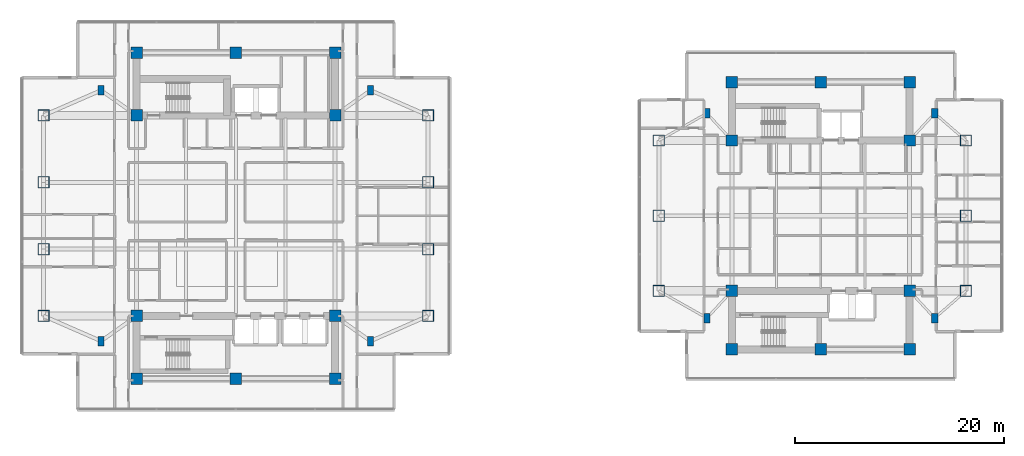
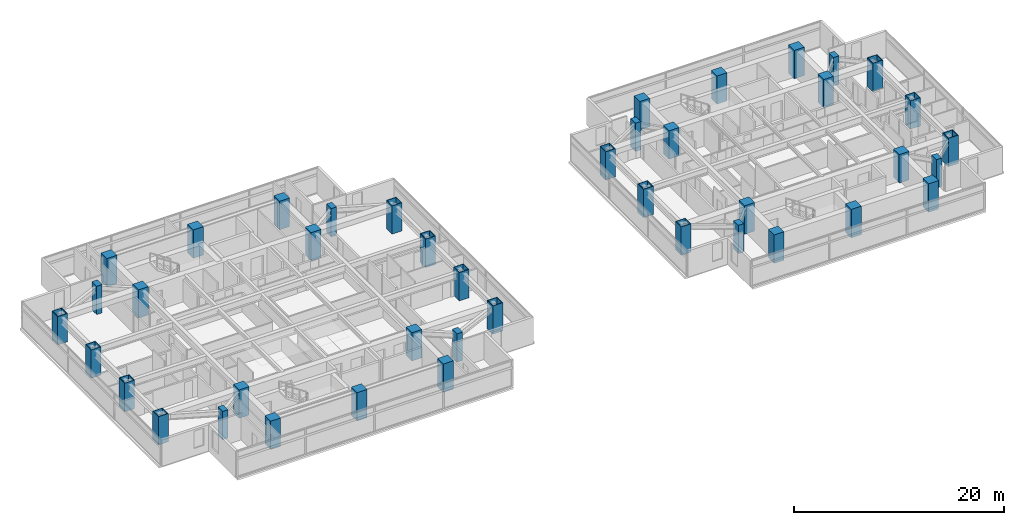
# One storey, part 1 of 27: 42 columns.
"""IFC4 building model written with IfcOpenShell, lengths in metres."""

from ifc_helpers import new_model, si_unit, direction, frame, origin, origin_2d, place, context, subcontext, project, spatial, rectangle, hollow_rectangle, extrude, material, material_profile, profile_set, type_object, element, save


model = new_model("IFC4")

# Units and contexts
model_context = context("Model", 3, precision=1e-05, world=origin(), true_north=direction((0.0, 1.0)))
body_context = subcontext(model_context, "Body", "Model", "MODEL_VIEW")
ifc_project = project(units=[si_unit("LENGTHUNIT", "METRE"), si_unit("AREAUNIT", "SQUARE_METRE"), si_unit("VOLUMEUNIT", "CUBIC_METRE"), si_unit("PLANEANGLEUNIT", "RADIAN"), si_unit("MASSUNIT", "GRAM", prefix="KILO")], contexts=[model_context])

# Site, building, storey
site_placement = place(None, origin())
site = spatial("IfcSite", under=ifc_project, at=site_placement, CompositionType="ELEMENT")
building_placement = place(site_placement, origin())
building = spatial("IfcBuilding", under=site, at=building_placement, Name="Mirazonda Arch Towers", CompositionType="ELEMENT")
storey_placement = place(building_placement, frame((0.0, 0.0, 124.699951171875)))
storey = spatial("IfcBuildingStorey", under=building, at=storey_placement, Name="L35", CompositionType="ELEMENT", Elevation=124.699951171875)

# Columns
ifc_material_1 = material(Name="Concrete C50/60", Category="concrete")
ifc_material_profile_1 = material_profile(ifc_material_1, rectangle(XDim=1.10009765625, YDim=1.10009765625, at=origin_2d()), Name="RC1100x1100")
ifc_profile_set_1 = profile_set([ifc_material_profile_1], Name="Concrete C50/60")
column_type_1 = type_object("IfcColumnType", Name="COL-INT-RC1100x1100", PredefinedType="COLUMN", material=ifc_profile_set_1)
for number, where, z_axis, x_axis, name in (
    (1, (11.0, 12.39990234375, 0.0), (0.0, 0.0, 1.0), (1.0, 0.0, 0.0), "L35 T1 Core Column 01"),
    (2, (20.5, 12.39990234375, 0.0), (0.0, 0.0, 1.0), (1.0, 0.0, 0.0), "L35 T1 Core Column 02"),
    (3, (30.0, 12.39990234375, 0.0), (0.0, 0.0, 1.0), (1.0, 0.0, 0.0), "L35 T1 Core Column 03"),
    (4, (11.0, 18.39990234375, 0.0), (0.0, 0.0, 1.0), (1.0, 0.0, 0.0), "L35 T1 Core Column 04"),
    (5, (30.0, 18.39990234375, 0.0), (0.0, 0.0, 1.0), (1.0, 0.0, 0.0), "L35 T1 Core Column 05"),
    (6, (11.0, 37.60009765625, 0.0), (0.0, 0.0, 1.0), (1.0, 0.0, 0.0), "L35 T1 Core Column 06"),
    (7, (30.0, 37.60009765625, 0.0), (0.0, 0.0, 1.0), (1.0, 0.0, 0.0), "L35 T1 Core Column 07"),
    (8, (11.0, 43.60009765625, 0.0), (0.0, 0.0, 1.0), (1.0, 0.0, 0.0), "L35 T1 Core Column 08"),
    (9, (20.5, 43.60009765625, 0.0), (0.0, 0.0, 1.0), (1.0, 0.0, 0.0), "L35 T1 Core Column 09"),
    (10, (30.0, 43.60009765625, 0.0), (0.0, 0.0, 1.0), (1.0, 0.0, 0.0), "L35 T1 Core Column 10"),
    (11, (68.0, 15.199951171875, 0.0), (0.0, 0.0, 1.0), (1.0, 0.0, 0.0), "L35 T2 Core Column 01"),
    (12, (76.5, 15.199951171875, 0.0), (0.0, 0.0, 1.0), (1.0, 0.0, 0.0), "L35 T2 Core Column 02"),
    (13, (85.0, 15.199951171875, 0.0), (0.0, 0.0, 1.0), (1.0, 0.0, 0.0), "L35 T2 Core Column 03"),
    (14, (68.0, 20.800048828125, 0.0), (0.0, 0.0, 1.0), (1.0, 0.0, 0.0), "L35 T2 Core Column 04"),
    (15, (85.0, 20.800048828125, 0.0), (0.0, 0.0, 1.0), (1.0, 0.0, 0.0), "L35 T2 Core Column 05"),
    (16, (68.0, 35.199951171875, 0.0), (0.0, 0.0, 1.0), (1.0, 0.0, 0.0), "L35 T2 Core Column 06"),
    (17, (85.0, 35.199951171875, 0.0), (0.0, 0.0, 1.0), (1.0, 0.0, 0.0), "L35 T2 Core Column 07"),
    (18, (68.0, 40.800048828125, 0.0), (0.0, 0.0, 1.0), (1.0, 0.0, 0.0), "L35 T2 Core Column 08"),
    (19, (76.5, 40.800048828125, 0.0), (0.0, 0.0, 1.0), (1.0, 0.0, 0.0), "L35 T2 Core Column 09"),
    (20, (85.0, 40.800048828125, 0.0), (0.0, 0.0, 1.0), (1.0, 0.0, 0.0), "L35 T2 Core Column 10"),
):
    element("IfcColumn", number, at=place(storey_placement, frame(where, z_axis=z_axis, x_axis=x_axis)), inside=storey, type_object=column_type_1, Name=name, PredefinedType="COLUMN", context=body_context, shape_type="SweptSolid", body=[
        extrude(rectangle(XDim=1.10009765625, YDim=1.10009765625, at=origin_2d()), origin(), (0.0, 0.0, 1.0), 3.300048828125),
    ])
ifc_material_2 = material(Name="Steel ASTM A572 Grade 50", Category="steel")
ifc_material_profile_2 = material_profile(ifc_material_2, hollow_rectangle(XDim=1.10009765625, YDim=1.10009765625, WallThickness=0.06005859375, at=origin_2d()), Name="BOX1100x1100x60")
ifc_profile_set_2 = profile_set([ifc_material_profile_2], Name="Steel ASTM A572 Grade 50")
column_type_2 = type_object("IfcColumnType", Name="MCOL-EXT-BOX1100x1100x60", PredefinedType="COLUMN", material=ifc_profile_set_2)
for number, where, z_axis, x_axis, name in (
    (21, (2.10009765625, 18.39990234375, 0.0), (0.0, 0.0, 1.0), (1.0, 0.0, 0.0), "L35 T1 Composite Mega-Column 01"),
    (22, (2.10009765625, 24.800048828125, 0.0), (0.0, 0.0, 1.0), (1.0, 0.0, 0.0), "L35 T1 Composite Mega-Column 02"),
    (23, (2.10009765625, 31.199951171875, 0.0), (0.0, 0.0, 1.0), (1.0, 0.0, 0.0), "L35 T1 Composite Mega-Column 03"),
    (24, (2.10009765625, 37.60009765625, 0.0), (0.0, 0.0, 1.0), (1.0, 0.0, 0.0), "L35 T1 Composite Mega-Column 04"),
    (25, (38.89990234375, 18.39990234375, 0.0), (0.0, 0.0, 1.0), (1.0, 0.0, 0.0), "L35 T1 Composite Mega-Column 05"),
    (26, (38.89990234375, 24.800048828125, 0.0), (0.0, 0.0, 1.0), (1.0, 0.0, 0.0), "L35 T1 Composite Mega-Column 06"),
    (27, (38.89990234375, 31.199951171875, 0.0), (0.0, 0.0, 1.0), (1.0, 0.0, 0.0), "L35 T1 Composite Mega-Column 07"),
    (28, (38.89990234375, 37.60009765625, 0.0), (0.0, 0.0, 1.0), (1.0, 0.0, 0.0), "L35 T1 Composite Mega-Column 08"),
    (29, (61.0, 20.800048828125, 0.0), (0.0, 0.0, 1.0), (1.0, 0.0, 0.0), "L35 T2 Composite Mega-Column 01"),
    (30, (61.0, 28.0, 0.0), (0.0, 0.0, 1.0), (1.0, 0.0, 0.0), "L35 T2 Composite Mega-Column 02"),
    (31, (61.0, 35.199951171875, 0.0), (0.0, 0.0, 1.0), (1.0, 0.0, 0.0), "L35 T2 Composite Mega-Column 03"),
    (32, (90.39990234375, 20.800048828125, 0.0), (0.0, 0.0, 1.0), (1.0, 0.0, 0.0), "L35 T2 Composite Mega-Column 04"),
    (33, (90.39990234375, 28.0, 0.0), (0.0, 0.0, 1.0), (1.0, 0.0, 0.0), "L35 T2 Composite Mega-Column 05"),
    (34, (90.39990234375, 35.199951171875, 0.0), (0.0, 0.0, 1.0), (1.0, 0.0, 0.0), "L35 T2 Composite Mega-Column 06"),
):
    element("IfcColumn", number, at=place(storey_placement, frame(where, z_axis=z_axis, x_axis=x_axis)), inside=storey, type_object=column_type_2, Name=name, PredefinedType="COLUMN", context=body_context, shape_type="SweptSolid", body=[
        extrude(hollow_rectangle(XDim=1.10009765625, YDim=1.10009765625, WallThickness=0.06005859375, at=origin_2d()), origin(), (0.0, 0.0, 1.0), 3.300048828125),
    ])
ifc_material_profile_3 = material_profile(ifc_material_1, rectangle(XDim=0.60009765625, YDim=0.89990234375, at=origin_2d()), Name="RC900x600")
ifc_profile_set_3 = profile_set([ifc_material_profile_3], Name="Concrete C50/60")
column_type_3 = type_object("IfcColumnType", Name="PIL-EXT-RC900x600", PredefinedType="PILASTER", material=ifc_profile_set_3)
for number, where, z_axis, x_axis, name in (
    (35, (7.60009765625, 16.0, 0.0), (0.0, 0.0, 1.0), (1.0, 0.0, 0.0), "L35 T1 Corner Pilaster 01"),
    (36, (33.39990234375, 16.0, 0.0), (0.0, 0.0, 1.0), (1.0, 0.0, 0.0), "L35 T1 Corner Pilaster 02"),
    (37, (7.60009765625, 40.0, 0.0), (0.0, 0.0, 1.0), (1.0, 0.0, 0.0), "L35 T1 Corner Pilaster 03"),
    (38, (33.39990234375, 40.0, 0.0), (0.0, 0.0, 1.0), (1.0, 0.0, 0.0), "L35 T1 Corner Pilaster 04"),
    (39, (65.60009765625, 18.199951171875, 0.0), (0.0, 0.0, 1.0), (1.0, 0.0, 0.0), "L35 T2 Corner Pilaster 01"),
    (40, (87.39990234375, 18.199951171875, 0.0), (0.0, 0.0, 1.0), (1.0, 0.0, 0.0), "L35 T2 Corner Pilaster 02"),
    (41, (65.60009765625, 37.800048828125, 0.0), (0.0, 0.0, 1.0), (1.0, 0.0, 0.0), "L35 T2 Corner Pilaster 03"),
    (42, (87.39990234375, 37.800048828125, 0.0), (0.0, 0.0, 1.0), (1.0, 0.0, 0.0), "L35 T2 Corner Pilaster 04"),
):
    element("IfcColumn", number, at=place(storey_placement, frame(where, z_axis=z_axis, x_axis=x_axis)), inside=storey, type_object=column_type_3, Name=name, PredefinedType="PILASTER", context=body_context, shape_type="SweptSolid", body=[
        extrude(rectangle(XDim=0.60009765625, YDim=0.89990234375, at=origin_2d()), origin(), (0.0, 0.0, 1.0), 3.300048828125),
    ])

save(model, "model.ifc")
